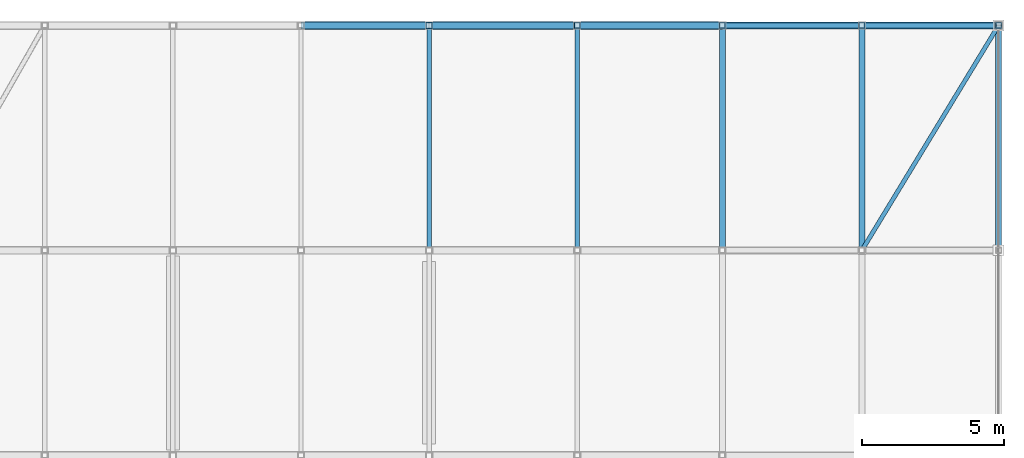
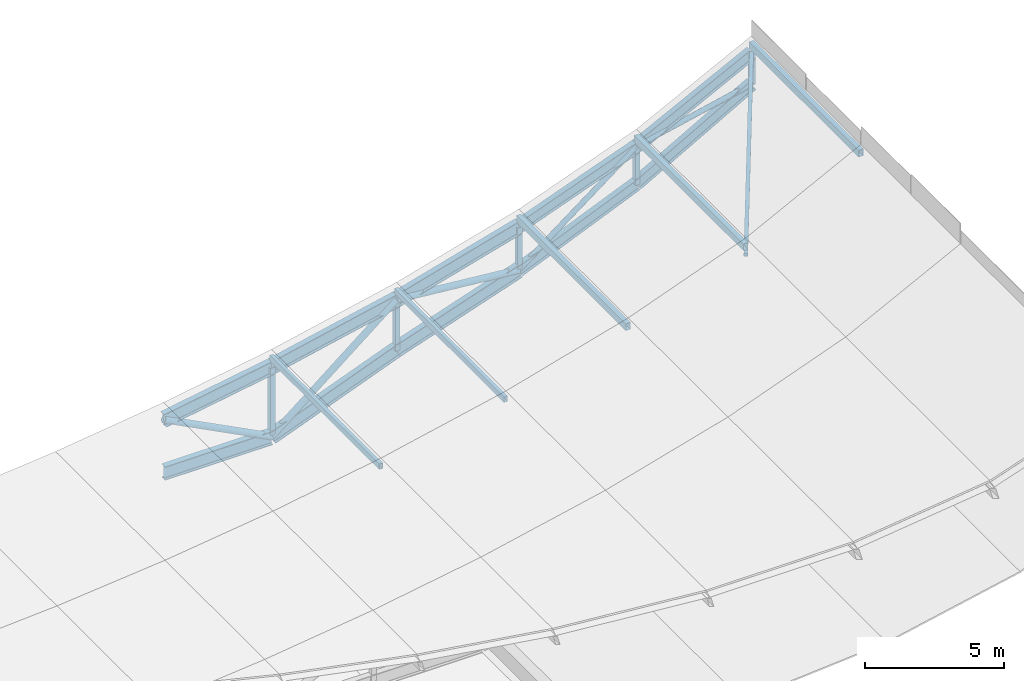
# One storey, part 18 of 24: 16 members, 10 beams.
"""IFC4 building model written with IfcOpenShell, lengths in metres."""

from ifc_helpers import new_model, si_unit, direction, frame, origin, origin_2d, place, context, subcontext, project, spatial, hollow_rectangle, hollow_circle, i_section, extrude, material, material_profile, profile_set, type_object, element, save


model = new_model("IFC4")

# Units and contexts
model_context = context("Model", 3, precision=1e-05, world=origin(), true_north=direction((0.0, 1.0)))
body_context = subcontext(model_context, "Body", "Model", "MODEL_VIEW")
ifc_project = project(units=[si_unit("LENGTHUNIT", "METRE"), si_unit("AREAUNIT", "SQUARE_METRE"), si_unit("VOLUMEUNIT", "CUBIC_METRE"), si_unit("PLANEANGLEUNIT", "RADIAN"), si_unit("MASSUNIT", "GRAM", prefix="KILO"), si_unit("THERMODYNAMICTEMPERATUREUNIT", "KELVIN"), si_unit("POWERUNIT", "WATT")], contexts=[model_context])

# Site, building, storey
site_placement = place(None, origin())
site = spatial("IfcSite", under=ifc_project, at=site_placement, CompositionType="ELEMENT")
building_placement = place(site_placement, origin())
building = spatial("IfcBuilding", under=site, at=building_placement, Name="Sindhuravela Promenade Stadium", CompositionType="ELEMENT")
storey_placement = place(building_placement, frame((0.0, 0.0, 28.800048828125)))
storey = spatial("IfcBuildingStorey", under=building, at=storey_placement, Name="RF", CompositionType="ELEMENT", Elevation=28.800048828125)

# Beams
ifc_material = material(Name="Steel E350 (IS 2062 E350BR)", Category="steel")
ifc_material_profile_1 = material_profile(ifc_material, i_section(OverallWidth=0.25, OverallDepth=0.5, WebThickness=0.010009765625, FlangeThickness=0.0146484375, FilletRadius=0.014892578125, at=origin_2d()), Name="ISWB 500")
ifc_profile_set_1 = profile_set([ifc_material_profile_1], Name="Steel E350 (IS 2062 E350BR)")
beam_type_1 = type_object("IfcBeamType", Name="ST-BM-WB500", PredefinedType="USERDEFINED", material=ifc_profile_set_1)
beam_1_placement = place(storey_placement, frame((46.300048828125, 124.89990234375, 4.24658203125), z_axis=(0.9381490392087664, 0.0, 0.34623168577076896), x_axis=(0.0, 1.0, 0.0)))
element("IfcBeam", 1, at=beam_1_placement, inside=storey, type_object=beam_type_1, Name="Roof truss RT-W09 top chord 7", ObjectType="ROOF TRUSS", PredefinedType="USERDEFINED", context=body_context, shape_type="SweptSolid", body=[
    extrude(i_section(OverallWidth=0.25, OverallDepth=0.5, WebThickness=0.010009765625, FlangeThickness=0.0146484375, FilletRadius=0.014892578125, at=origin_2d()), origin(), (0.0, 0.0, 1.0), 5.222900390625),
])
beam_2_placement = place(storey_placement, frame((46.300048828125, 124.89990234375, 2.325927734375), z_axis=(0.9202112137061758, 0.0, 0.39142217894417647), x_axis=(0.0, 1.0, 0.0)))
element("IfcBeam", 2, at=beam_2_placement, inside=storey, type_object=beam_type_1, Name="Roof truss RT-W09 bottom chord 7", ObjectType="ROOF TRUSS", PredefinedType="USERDEFINED", context=body_context, shape_type="SweptSolid", body=[
    extrude(i_section(OverallWidth=0.25, OverallDepth=0.5, WebThickness=0.010009765625, FlangeThickness=0.0146484375, FilletRadius=0.014892578125, at=origin_2d()), origin(), (0.0, 0.0, 1.0), 5.32470703125),
])
beam_3_placement = place(storey_placement, frame((51.199951171875, 124.89990234375, 6.054931640625), z_axis=(0.8914422517070215, 0.0, 0.4531343199003089), x_axis=(0.0, 1.0, 0.0)))
element("IfcBeam", 3, at=beam_3_placement, inside=storey, type_object=beam_type_1, Name="Roof truss RT-W09 top chord 8", ObjectType="ROOF TRUSS", PredefinedType="USERDEFINED", context=body_context, shape_type="SweptSolid", body=[
    extrude(i_section(OverallWidth=0.25, OverallDepth=0.5, WebThickness=0.010009765625, FlangeThickness=0.0146484375, FilletRadius=0.014892578125, at=origin_2d()), origin(), (0.0, 0.0, 1.0), 5.384521484375),
])
beam_4_placement = place(storey_placement, frame((51.199951171875, 124.89990234375, 4.41015625), z_axis=(0.870823391625607, 0.0, 0.4915959932685322), x_axis=(0.0, 1.0, 0.0)))
element("IfcBeam", 4, at=beam_4_placement, inside=storey, type_object=beam_type_1, Name="Roof truss RT-W09 bottom chord 8", ObjectType="ROOF TRUSS", PredefinedType="USERDEFINED", context=body_context, shape_type="SweptSolid", body=[
    extrude(i_section(OverallWidth=0.25, OverallDepth=0.5, WebThickness=0.010009765625, FlangeThickness=0.0146484375, FilletRadius=0.014892578125, at=origin_2d()), origin(), (0.0, 0.0, 1.0), 5.511962890625),
])
ifc_material_profile_2 = material_profile(ifc_material, i_section(OverallWidth=0.25, OverallDepth=0.60009765625, WebThickness=0.01171875, FlangeThickness=0.023681640625, FilletRadius=0.01708984375, at=origin_2d()), Name="ISWB 600")
ifc_profile_set_2 = profile_set([ifc_material_profile_2], Name="Steel E350 (IS 2062 E350BR)")
beam_type_2 = type_object("IfcBeamType", Name="ST-BM-WB600", PredefinedType="USERDEFINED", material=ifc_profile_set_2)
beam_5_placement = place(storey_placement, frame((31.5, 124.89990234375, 0.91796875), z_axis=(0.9860007817439423, 0.0, 0.16674069209504494), x_axis=(0.0, 1.0, 0.0)))
element("IfcBeam", 5, at=beam_5_placement, inside=storey, type_object=beam_type_2, Name="Roof truss RT-W09 top chord 4", ObjectType="ROOF TRUSS", PredefinedType="USERDEFINED", context=body_context, shape_type="SweptSolid", body=[
    extrude(i_section(OverallWidth=0.25, OverallDepth=0.60009765625, WebThickness=0.01171875, FlangeThickness=0.023681640625, FilletRadius=0.01708984375, at=origin_2d()), origin(), (0.0, 0.0, 1.0), 4.56396484375),
])
beam_6_placement = place(storey_placement, frame((31.5, 124.89990234375, -1.400146484375), z_axis=(1.0, 0.0, 0.0), x_axis=(0.0, 1.0, 0.0)))
element("IfcBeam", 6, at=beam_6_placement, inside=storey, type_object=beam_type_2, Name="Roof truss RT-W09 bottom chord 4", ObjectType="ROOF TRUSS", PredefinedType="USERDEFINED", context=body_context, shape_type="SweptSolid", body=[
    extrude(i_section(OverallWidth=0.25, OverallDepth=0.60009765625, WebThickness=0.01171875, FlangeThickness=0.023681640625, FilletRadius=0.01708984375, at=origin_2d()), origin(), (0.0, 0.0, 1.0), 4.5),
])
beam_7_placement = place(storey_placement, frame((36.0, 124.89990234375, 1.678955078125), z_axis=(0.9771784342317954, 0.0, 0.21242012068609853), x_axis=(0.0, 1.0, 0.0)))
element("IfcBeam", 7, at=beam_7_placement, inside=storey, type_object=beam_type_2, Name="Roof truss RT-W09 top chord 5", ObjectType="ROOF TRUSS", PredefinedType="USERDEFINED", context=body_context, shape_type="SweptSolid", body=[
    extrude(i_section(OverallWidth=0.25, OverallDepth=0.60009765625, WebThickness=0.01171875, FlangeThickness=0.023681640625, FilletRadius=0.01708984375, at=origin_2d()), origin(), (0.0, 0.0, 1.0), 5.3212890625),
])
beam_8_placement = place(storey_placement, frame((36.0, 124.89990234375, -1.400146484375), z_axis=(0.9332269823320635, 0.0, 0.3592873494118466), x_axis=(0.0, 1.0, 0.0)))
element("IfcBeam", 8, at=beam_8_placement, inside=storey, type_object=beam_type_2, Name="Roof truss RT-W09 bottom chord 5", ObjectType="ROOF TRUSS", PredefinedType="USERDEFINED", context=body_context, shape_type="SweptSolid", body=[
    extrude(i_section(OverallWidth=0.25, OverallDepth=0.60009765625, WebThickness=0.01171875, FlangeThickness=0.023681640625, FilletRadius=0.01708984375, at=origin_2d()), origin(), (0.0, 0.0, 1.0), 5.572021484375),
])
beam_9_placement = place(storey_placement, frame((41.199951171875, 124.89990234375, 2.809326171875), z_axis=(0.9625104587283877, 0.0, 0.2712445701548118), x_axis=(0.0, 1.0, 0.0)))
element("IfcBeam", 9, at=beam_9_placement, inside=storey, type_object=beam_type_2, Name="Roof truss RT-W09 top chord 6", ObjectType="ROOF TRUSS", PredefinedType="USERDEFINED", context=body_context, shape_type="SweptSolid", body=[
    extrude(i_section(OverallWidth=0.25, OverallDepth=0.60009765625, WebThickness=0.01171875, FlangeThickness=0.023681640625, FilletRadius=0.01708984375, at=origin_2d()), origin(), (0.0, 0.0, 1.0), 5.298828125),
])
beam_10_placement = place(storey_placement, frame((41.199951171875, 124.89990234375, 0.601806640625), z_axis=(0.947332432417477, 0.0, 0.32025187351518536), x_axis=(0.0, 1.0, 0.0)))
element("IfcBeam", 10, at=beam_10_placement, inside=storey, type_object=beam_type_2, Name="Roof truss RT-W09 bottom chord 6", ObjectType="ROOF TRUSS", PredefinedType="USERDEFINED", context=body_context, shape_type="SweptSolid", body=[
    extrude(i_section(OverallWidth=0.25, OverallDepth=0.60009765625, WebThickness=0.01171875, FlangeThickness=0.023681640625, FilletRadius=0.01708984375, at=origin_2d()), origin(), (0.0, 0.0, 1.0), 5.383544921875),
])

# Members
ifc_material_profile_3 = material_profile(ifc_material, hollow_circle(Radius=0.109619140625, WallThickness=0.010009765625, at=origin_2d()), Name="CHS 219.1x10")
ifc_profile_set_3 = profile_set([ifc_material_profile_3], Name="Steel E350 (IS 2062 E350BR)")
member_type_1 = type_object("IfcMemberType", Name="ST-MB-CHS219", PredefinedType="BRACE", material=ifc_profile_set_3)
member_1_placement = place(storey_placement, frame((46.300048828125, 124.89990234375, 2.325927734375), z_axis=(0.7957647236205557, 0.0, 0.605605898783277), x_axis=(0.0, 1.0, 0.0)))
element("IfcMember", 11, at=member_1_placement, inside=storey, type_object=member_type_1, Name="Roof truss RT-W09 diagonal web 7", PredefinedType="BRACE", context=body_context, shape_type="SweptSolid", body=[
    extrude(hollow_circle(Radius=0.109619140625, WallThickness=0.010009765625, at=origin_2d()), origin(), (0.0, 0.0, 1.0), 6.157470703125),
])
member_2_placement = place(storey_placement, frame((51.199951171875, 124.89990234375, 6.054931640625), z_axis=(0.9762617763838976, 0.0, 0.21659396106945533), x_axis=(0.0, 1.0, 0.0)))
element("IfcMember", 12, at=member_2_placement, inside=storey, type_object=member_type_1, Name="Roof truss RT-W09 diagonal web 8", PredefinedType="BRACE", context=body_context, shape_type="SweptSolid", body=[
    extrude(hollow_circle(Radius=0.109619140625, WallThickness=0.010009765625, at=origin_2d()), origin(), (0.0, 0.0, 1.0), 4.916748046875),
])
ifc_material_profile_4 = material_profile(ifc_material, hollow_circle(Radius=0.136474609375, WallThickness=0.010009765625, at=origin_2d()), Name="CHS 273.0x10")
ifc_profile_set_4 = profile_set([ifc_material_profile_4], Name="Steel E350 (IS 2062 E350BR)")
member_type_2 = type_object("IfcMemberType", Name="ST-MB-CHS273", PredefinedType="BRACE", material=ifc_profile_set_4)
member_3_placement = place(storey_placement, frame((31.5, 124.89990234375, 0.91796875), z_axis=(0.8889799113932431, 0.0, -0.457946194589781), x_axis=(0.0, 1.0, 0.0)))
element("IfcMember", 13, at=member_3_placement, inside=storey, type_object=member_type_2, Name="Roof truss RT-W09 diagonal web 4", PredefinedType="BRACE", context=body_context, shape_type="SweptSolid", body=[
    extrude(hollow_circle(Radius=0.136474609375, WallThickness=0.010009765625, at=origin_2d()), origin(), (0.0, 0.0, 1.0), 5.06201171875),
])
member_4_placement = place(storey_placement, frame((36.0, 124.89990234375, -1.400146484375), z_axis=(0.7772457205233317, 0.0, 0.6291971788939991), x_axis=(0.0, 1.0, 0.0)))
element("IfcMember", 14, at=member_4_placement, inside=storey, type_object=member_type_2, Name="Roof truss RT-W09 diagonal web 5", PredefinedType="BRACE", context=body_context, shape_type="SweptSolid", body=[
    extrude(hollow_circle(Radius=0.136474609375, WallThickness=0.010009765625, at=origin_2d()), origin(), (0.0, 0.0, 1.0), 6.690185546875),
])
member_5_placement = place(storey_placement, frame((41.199951171875, 124.89990234375, 2.809326171875), z_axis=(0.9955382080230687, 0.0, -0.09435929401080306), x_axis=(0.0, 1.0, 0.0)))
element("IfcMember", 15, at=member_5_placement, inside=storey, type_object=member_type_2, Name="Roof truss RT-W09 diagonal web 6", PredefinedType="BRACE", context=body_context, shape_type="SweptSolid", body=[
    extrude(hollow_circle(Radius=0.136474609375, WallThickness=0.010009765625, at=origin_2d()), origin(), (0.0, 0.0, 1.0), 5.123046875),
])
ifc_material_profile_5 = material_profile(ifc_material, hollow_rectangle(XDim=0.14990234375, YDim=0.25, WallThickness=0.010009765625, at=origin_2d()), Name="RHS 250x150x10")
ifc_profile_set_5 = profile_set([ifc_material_profile_5], Name="Steel E350 (IS 2062 E350BR)")
member_type_3 = type_object("IfcMemberType", Name="ST-MB-RHS250", PredefinedType="PURLIN", material=ifc_profile_set_5)
for number, where, z_axis, x_axis, name in (
    (16, (36.0, 117.0, 2.071044921875), (0.0, 1.0, 0.0), (-1.0, 0.0, 0.0), "Roof purlin PR01 W bay 8.5"),
    (17, (41.199951171875, 117.0, 3.201416015625), (0.0, 1.0, 0.0), (-1.0, 0.0, 0.0), "Roof purlin PR01 W bay 8.6"),
):
    element("IfcMember", number, at=place(storey_placement, frame(where, z_axis=z_axis, x_axis=x_axis)), inside=storey, type_object=member_type_3, Name=name, PredefinedType="PURLIN", context=body_context, shape_type="SweptSolid", body=[
        extrude(hollow_rectangle(XDim=0.14990234375, YDim=0.25, WallThickness=0.010009765625, at=origin_2d()), origin(), (0.0, 0.0, 1.0), 7.89990234375),
    ])
ifc_material_profile_6 = material_profile(ifc_material, hollow_rectangle(XDim=0.199951171875, YDim=0.300048828125, WallThickness=0.010009765625, at=origin_2d()), Name="RHS 300x200x10")
ifc_profile_set_6 = profile_set([ifc_material_profile_6], Name="Steel E350 (IS 2062 E350BR)")
member_type_4 = type_object("IfcMemberType", Name="ST-MB-RHS300", PredefinedType="PURLIN", material=ifc_profile_set_6)
for number, where, z_axis, x_axis, name in (
    (18, (46.300048828125, 117.0, 4.613525390625), (0.0, 1.0, 0.0), (-1.0, 0.0, 0.0), "Roof purlin PR02 W bay 8.7"),
    (19, (51.199951171875, 117.0, 6.422119140625), (0.0, 1.0, 0.0), (-1.0, 0.0, 0.0), "Roof purlin PR02 W bay 8.8"),
    (20, (56.0, 117.0, 8.862060546875), (0.0, 1.0, 0.0), (-1.0, 0.0, 0.0), "Roof purlin PR02 W bay 8.9"),
):
    element("IfcMember", number, at=place(storey_placement, frame(where, z_axis=z_axis, x_axis=x_axis)), inside=storey, type_object=member_type_4, Name=name, PredefinedType="PURLIN", context=body_context, shape_type="SweptSolid", body=[
        extrude(hollow_rectangle(XDim=0.199951171875, YDim=0.300048828125, WallThickness=0.010009765625, at=origin_2d()), origin(), (0.0, 0.0, 1.0), 7.89990234375),
    ])
ifc_material_profile_7 = material_profile(ifc_material, hollow_rectangle(XDim=0.14990234375, YDim=0.14990234375, WallThickness=0.008056640625, at=origin_2d()), Name="SHS 150x150x8")
ifc_profile_set_7 = profile_set([ifc_material_profile_7], Name="Steel E350 (IS 2062 E350BR)")
member_type_5 = type_object("IfcMemberType", Name="ST-MB-SHS150", PredefinedType="BRACE", material=ifc_profile_set_7)
member_6_placement = place(storey_placement, frame((51.199951171875, 117.0, 6.054931640625), z_axis=(0.5020734266545908, 0.8263105609932989, 0.2552119335733676), x_axis=(-0.8546108829421625, 0.519268946459171, 0.0)))
element("IfcMember", 21, at=member_6_placement, inside=storey, type_object=member_type_5, Name="Roof wind brace MB01 W bay 8", PredefinedType="BRACE", context=body_context, shape_type="SweptSolid", body=[
    extrude(hollow_rectangle(XDim=0.14990234375, YDim=0.14990234375, WallThickness=0.008056640625, at=origin_2d()), origin(), (0.0, 0.0, 1.0), 9.560546875),
])
ifc_material_profile_8 = material_profile(ifc_material, hollow_rectangle(XDim=0.199951171875, YDim=0.199951171875, WallThickness=0.010009765625, at=origin_2d()), Name="SHS 200x200x10")
ifc_profile_set_8 = profile_set([ifc_material_profile_8], Name="Steel E350 (IS 2062 E350BR)")
member_type_6 = type_object("IfcMemberType", Name="ST-MB-SHS200", PredefinedType="POST", material=ifc_profile_set_8)
member_7_placement = place(storey_placement, frame((41.199951171875, 124.89990234375, 0.601806640625), z_axis=(0.0, 0.0, 1.0), x_axis=(1.0, 0.0, 0.0)))
element("IfcMember", 22, at=member_7_placement, inside=storey, type_object=member_type_6, Name="Roof truss RT-W09 vertical post 6", PredefinedType="POST", context=body_context, shape_type="SweptSolid", body=[
    extrude(hollow_rectangle(XDim=0.199951171875, YDim=0.199951171875, WallThickness=0.010009765625, at=origin_2d()), origin(), (0.0, 0.0, 1.0), 2.20751953125),
])
member_8_placement = place(storey_placement, frame((46.300048828125, 124.89990234375, 2.325927734375), z_axis=(0.0, 0.0, 1.0), x_axis=(1.0, 0.0, 0.0)))
element("IfcMember", 23, at=member_8_placement, inside=storey, type_object=member_type_6, Name="Roof truss RT-W09 vertical post 7", PredefinedType="POST", context=body_context, shape_type="SweptSolid", body=[
    extrude(hollow_rectangle(XDim=0.199951171875, YDim=0.199951171875, WallThickness=0.010009765625, at=origin_2d()), origin(), (0.0, 0.0, 1.0), 1.920654296875),
])
member_9_placement = place(storey_placement, frame((51.199951171875, 124.89990234375, 4.41015625), z_axis=(0.0, 0.0, 1.0), x_axis=(1.0, 0.0, 0.0)))
element("IfcMember", 24, at=member_9_placement, inside=storey, type_object=member_type_6, Name="Roof truss RT-W09 vertical post 8", PredefinedType="POST", context=body_context, shape_type="SweptSolid", body=[
    extrude(hollow_rectangle(XDim=0.199951171875, YDim=0.199951171875, WallThickness=0.010009765625, at=origin_2d()), origin(), (0.0, 0.0, 1.0), 1.644775390625),
])
member_10_placement = place(storey_placement, frame((56.0, 124.89990234375, 7.119873046875), z_axis=(0.0, 0.0, 1.0), x_axis=(1.0, 0.0, 0.0)))
element("IfcMember", 25, at=member_10_placement, inside=storey, type_object=member_type_6, Name="Roof truss RT-W09 vertical post 9", PredefinedType="POST", context=body_context, shape_type="SweptSolid", body=[
    extrude(hollow_rectangle(XDim=0.199951171875, YDim=0.199951171875, WallThickness=0.010009765625, at=origin_2d()), origin(), (0.0, 0.0, 1.0), 1.375),
])
ifc_material_profile_9 = material_profile(ifc_material, hollow_rectangle(XDim=0.219970703125, YDim=0.219970703125, WallThickness=0.011962890625, at=origin_2d()), Name="SHS 220x220x12")
ifc_profile_set_9 = profile_set([ifc_material_profile_9], Name="Steel E350 (IS 2062 E350BR)")
member_type_7 = type_object("IfcMemberType", Name="ST-MB-SHS220", PredefinedType="POST", material=ifc_profile_set_9)
member_11_placement = place(storey_placement, frame((36.0, 124.89990234375, -1.400146484375), z_axis=(0.0, 0.0, 1.0), x_axis=(1.0, 0.0, 0.0)))
element("IfcMember", 26, at=member_11_placement, inside=storey, type_object=member_type_7, Name="Roof truss RT-W09 vertical post 5", PredefinedType="POST", context=body_context, shape_type="SweptSolid", body=[
    extrude(hollow_rectangle(XDim=0.219970703125, YDim=0.219970703125, WallThickness=0.011962890625, at=origin_2d()), origin(), (0.0, 0.0, 1.0), 3.0791015625),
])

save(model, "model.ifc")
